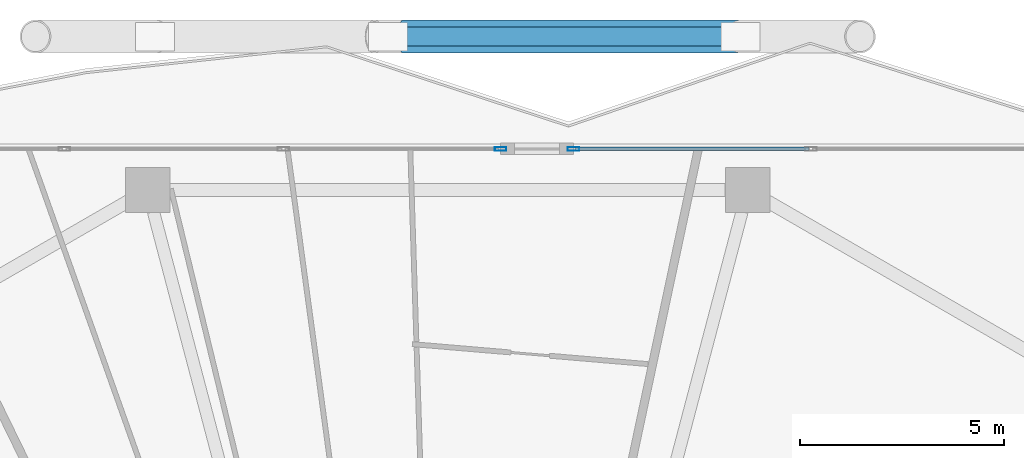
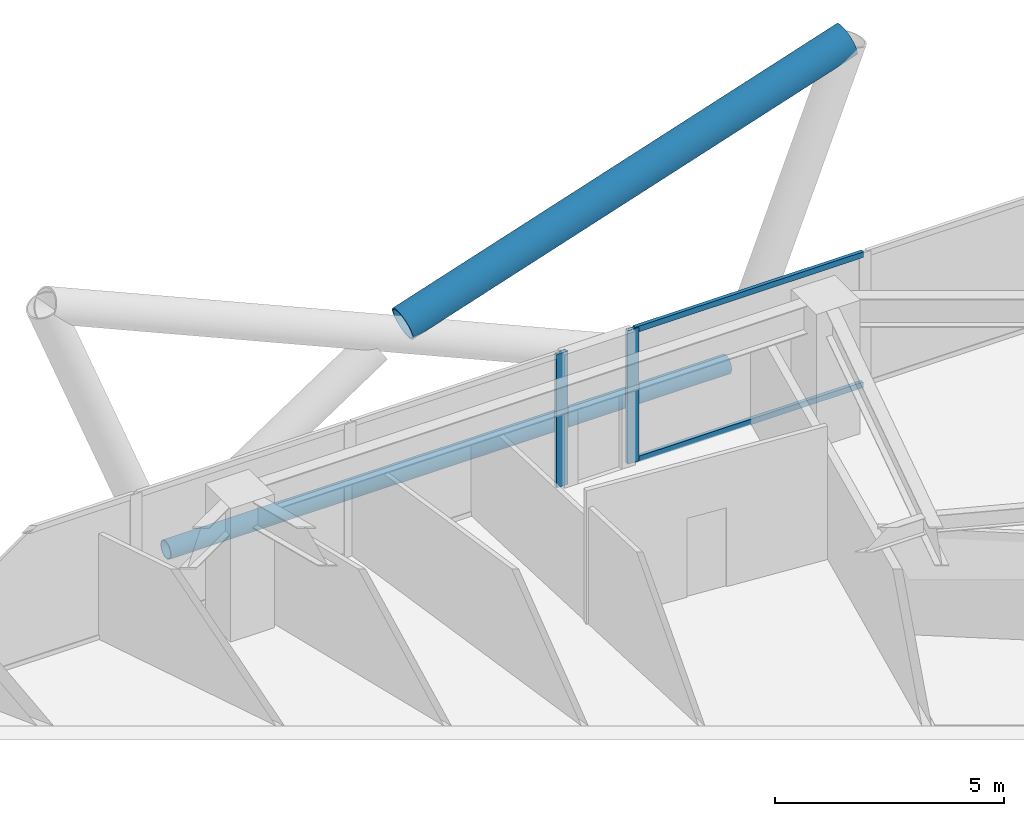
# One storey, part 22 of 35: 6 members, 2 elements without a shape of their own.
"""IFC4 building model written with IfcOpenShell, lengths in metres."""

from ifc_helpers import new_model, si_unit, direction, frame, origin, origin_2d, place, context, subcontext, project, spatial, hollow_rectangle, hollow_circle, extrude, material, material_profile, profile_set, type_object, element, aggregate, save


model = new_model("IFC4")

# Units and contexts
model_context = context("Model", 3, precision=1e-05, world=origin(), true_north=direction((0.0, 1.0)))
body_context = subcontext(model_context, "Body", "Model", "MODEL_VIEW")
ifc_project = project(units=[si_unit("LENGTHUNIT", "METRE"), si_unit("AREAUNIT", "SQUARE_METRE"), si_unit("VOLUMEUNIT", "CUBIC_METRE"), si_unit("PLANEANGLEUNIT", "RADIAN"), si_unit("MASSUNIT", "GRAM", prefix="KILO")], contexts=[model_context])

# Site, building, storey
site_placement = place(None, origin())
site = spatial("IfcSite", under=ifc_project, at=site_placement, CompositionType="ELEMENT")
building_placement = place(site_placement, origin())
building = spatial("IfcBuilding", under=site, at=building_placement, Name="Zuhravey Tower", CompositionType="ELEMENT")
storey_placement = place(building_placement, frame((0.0, 0.0, 115.199951171875)))
storey = spatial("IfcBuildingStorey", under=building, at=storey_placement, Name="L28", CompositionType="ELEMENT", Elevation=115.199951171875)

# Curtain wall, member
ifc_material_1 = material(Name="Thermally broken anodised aluminium", Category="aluminium")
curtain_wall_type = type_object("IfcCurtainWallType", Name="Zone 1-2 Residential Curtain Wall CW3", PredefinedType="NOTDEFINED", material=ifc_material_1)
curtain_wall_1_placement = place(storey_placement, origin())
curtain_wall_1 = element("IfcCurtainWall", 1, at=curtain_wall_1_placement, inside=storey, type_object=curtain_wall_type, Name="L28 CW3 CW-L28-F2-1", PredefinedType="NOTDEFINED")
ifc_material_2 = material(Name="Anodised aluminium", Category="aluminium")
ifc_material_profile_1 = material_profile(ifc_material_2, hollow_rectangle(XDim=0.090087890625, YDim=0.284912109375, WallThickness=0.0048828125, at=origin_2d()), Name="ALU-RHS-90x285x5")
ifc_profile_set_1 = profile_set([ifc_material_profile_1], Name="Anodised aluminium")
member_type_1 = type_object("IfcMemberType", Name="Curtain-Wall Mullion 90x180", PredefinedType="MULLION", material=ifc_profile_set_1)
member_1_placement = place(storey_placement, frame((37.299072265625, 60.95849609375, 0.0), z_axis=(0.0, 0.0, 1.0), x_axis=(0.0, 1.0, 0.0)))
member_1 = element("IfcMember", 2, at=member_1_placement, type_object=member_type_1, Name="CW3 mullion 4", PredefinedType="MULLION", context=body_context, shape_type="SweptSolid", body=[
    extrude(hollow_rectangle(XDim=0.090087890625, YDim=0.284912109375, WallThickness=0.0048828125, at=origin_2d()), origin(), (0.0, 0.0, 1.0), 3.550048828125),
])
aggregate(curtain_wall_1, [member_1])

# Curtain wall, members
curtain_wall_2_placement = place(storey_placement, origin())
curtain_wall_2 = element("IfcCurtainWall", 3, at=curtain_wall_2_placement, inside=storey, type_object=curtain_wall_type, Name="L28 CW3 CW-L28-F2-2", PredefinedType="NOTDEFINED")
member_2_placement = place(storey_placement, frame((39.089111328125, 60.95849609375, 0.0), z_axis=(0.0, 0.0, 1.0), x_axis=(0.0, 1.0, 0.0)))
member_2 = element("IfcMember", 4, at=member_2_placement, type_object=member_type_1, Name="CW3 mullion 1", PredefinedType="MULLION", context=body_context, shape_type="SweptSolid", body=[
    extrude(hollow_rectangle(XDim=0.090087890625, YDim=0.284912109375, WallThickness=0.0048828125, at=origin_2d()), origin(), (0.0, 0.0, 1.0), 3.550048828125),
])
ifc_material_profile_2 = material_profile(ifc_material_2, hollow_rectangle(XDim=0.090087890625, YDim=0.14990234375, WallThickness=0.0048828125, at=origin_2d()), Name="ALU-RHS-90x150x5")
ifc_profile_set_2 = profile_set([ifc_material_profile_2], Name="Anodised aluminium")
member_type_2 = type_object("IfcMemberType", Name="Curtain-Wall Transom 90x150", PredefinedType="USERDEFINED", material=ifc_profile_set_2)
member_3_placement = place(storey_placement, frame((39.134033203125, 60.95849609375, 0.045166015625), z_axis=(1.0, 0.0, 0.0), x_axis=(0.0, 1.0, 0.0)))
member_3 = element("IfcMember", 5, at=member_3_placement, type_object=member_type_2, Name="CW3 transom 1.1", ObjectType="TRANSOM", PredefinedType="USERDEFINED", context=body_context, shape_type="SweptSolid", body=[
    extrude(hollow_rectangle(XDim=0.090087890625, YDim=0.14990234375, WallThickness=0.0048828125, at=origin_2d()), origin(), (0.0, 0.0, 1.0), 5.74267578125),
])
member_4_placement = place(storey_placement, frame((39.134033203125, 60.95849609375, 3.505126953125), z_axis=(1.0, 0.0, 0.0), x_axis=(0.0, 1.0, 0.0)))
member_4 = element("IfcMember", 6, at=member_4_placement, type_object=member_type_2, Name="CW3 transom 1.2", ObjectType="TRANSOM", PredefinedType="USERDEFINED", context=body_context, shape_type="SweptSolid", body=[
    extrude(hollow_rectangle(XDim=0.090087890625, YDim=0.14990234375, WallThickness=0.0048828125, at=origin_2d()), origin(), (0.0, 0.0, 1.0), 5.74267578125),
])
aggregate(curtain_wall_2, [member_2, member_3, member_4])

# Members
ifc_material_3 = material(Name="Steel SM355", Category="steel")
ifc_material_profile_3 = material_profile(ifc_material_3, hollow_circle(Radius=0.228515625, WallThickness=0.02197265625, at=origin_2d()), Name="CHS-457.2x22")
ifc_profile_set_3 = profile_set([ifc_material_profile_3], Name="Steel SM355")
member_type_3 = type_object("IfcMemberType", Name="Exoskeleton Ring Tie CHS457x22", PredefinedType="CHORD", material=ifc_profile_set_3)
member_5_placement = place(storey_placement, frame((43.053955078125, 63.718505859375, -0.4638671875), z_axis=(-1.0, 0.0, 0.0), x_axis=(0.0, -1.0, 0.0)))
element("IfcMember", 7, at=member_5_placement, inside=storey, type_object=member_type_3, Name="L28 Exoskeleton Face 2 Tie EXR1", PredefinedType="CHORD", context=body_context, shape_type="SweptSolid", body=[
    extrude(hollow_circle(Radius=0.228515625, WallThickness=0.02197265625, at=origin_2d()), origin(), (0.0, 0.0, 1.0), 14.10791015625),
])
ifc_material_4 = material(Name="Steel SM460", Category="steel")
ifc_material_profile_4 = material_profile(ifc_material_4, hollow_circle(Radius=0.406494140625, WallThickness=0.035888671875, at=origin_2d()), Name="CHS-812.8x36")
ifc_profile_set_4 = profile_set([ifc_material_profile_4], Name="Steel SM460")
member_type_4 = type_object("IfcMemberType", Name="Exoskeleton Zone 1 Diagrid CHS813x36", PredefinedType="BRACE", material=ifc_profile_set_4)
member_6_placement = place(storey_placement, frame((34.9052734375, 63.718505859375, 3.45947265625), z_axis=(0.950379613996, 0.0, 0.311092573523), x_axis=(0.0, 1.0, 0.0)))
element("IfcMember", 8, at=member_6_placement, inside=storey, type_object=member_type_4, Name="L28 Face 2 Split Diagrid Brace 3B", PredefinedType="BRACE", context=body_context, shape_type="SweptSolid", body=[
    extrude(hollow_circle(Radius=0.406494140625, WallThickness=0.035888671875, at=origin_2d()), origin(), (0.0, 0.0, 1.0), 11.76318359375),
])

save(model, "model.ifc")
